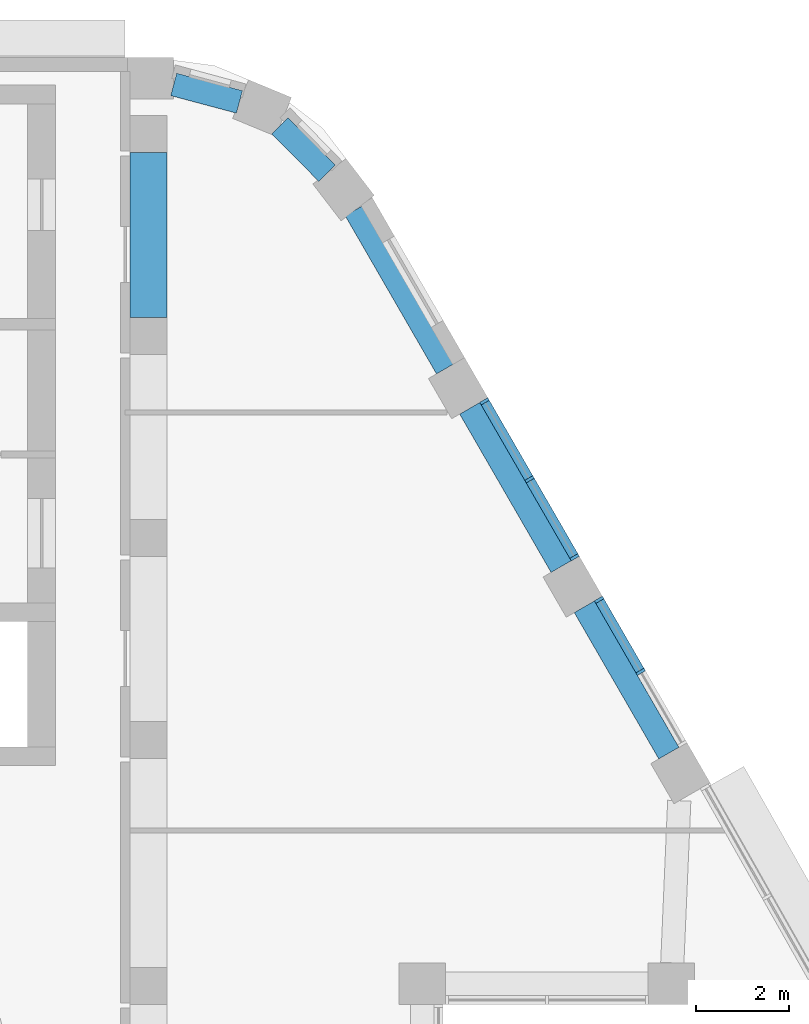
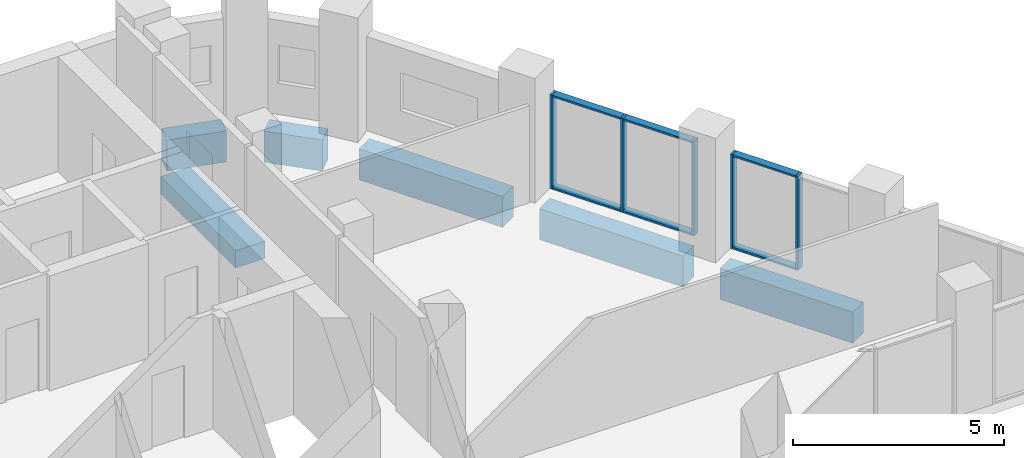
# One storey, part 7 of 16: 11 members, 6 beams, 2 elements without a shape of their own.
"""IFC4 building model written with IfcOpenShell, lengths in metres."""

from ifc_helpers import new_model, si_unit, direction, frame, origin, origin_2d, place, context, subcontext, project, spatial, rectangle, extrude, material, layer, layer_set, material_profile, profile_set, type_object, element, aggregate, save


model = new_model("IFC4")

# Units and contexts
model_context = context("Model", 3, precision=1e-05, world=origin(), true_north=direction((0.0, 1.0)))
body_context = subcontext(model_context, "Body", "Model", "MODEL_VIEW")
ifc_project = project(units=[si_unit("LENGTHUNIT", "METRE"), si_unit("AREAUNIT", "SQUARE_METRE"), si_unit("VOLUMEUNIT", "CUBIC_METRE"), si_unit("PLANEANGLEUNIT", "RADIAN"), si_unit("MASSUNIT", "GRAM", prefix="KILO")], contexts=[model_context])

# Site, building, storey
site_placement = place(None, origin())
site = spatial("IfcSite", under=ifc_project, at=site_placement, CompositionType="ELEMENT")
building_placement = place(site_placement, origin())
building = spatial("IfcBuilding", under=site, at=building_placement, Name="Nakaniwa Court", CompositionType="ELEMENT")
storey_placement = place(building_placement, frame((0.0, 0.0, 272.39990234375)))
storey = spatial("IfcBuildingStorey", under=building, at=storey_placement, Name="C01", CompositionType="ELEMENT", Elevation=272.39990234375)

# Beams
ifc_material_1 = material(Name="Concrete C80/100", Category="concrete")
ifc_material_profile_1 = material_profile(ifc_material_1, rectangle(XDim=0.5, YDim=0.89990234375, at=origin_2d()), Name="Concrete C80/100 RC 500x900 spandrel beam")
ifc_profile_set_1 = profile_set([ifc_material_profile_1], Name="Concrete C80/100")
beam_type_1 = type_object("IfcBeamType", Name="Concrete C80/100 RC 500x900 spandrel beam", PredefinedType="BEAM", material=ifc_profile_set_1)
beam_1_placement = place(storey_placement, frame((101.208984375, 87.665283203125, -0.724853515625), z_axis=(-0.500028315034, 0.866009055475, 0.0), x_axis=(-0.866009055475, -0.500028315034, 0.0)))
element("IfcBeam", 1, at=beam_1_placement, inside=storey, type_object=beam_type_1, Name="SPANDREL BEAM", PredefinedType="BEAM", context=body_context, shape_type="SweptSolid", body=[
    extrude(rectangle(XDim=0.5, YDim=0.89990234375, at=origin_2d()), origin(), (0.0, 0.0, 1.0), 3.638916015625),
])
beam_2_placement = place(storey_placement, frame((98.889404296875, 91.6826171875, -0.724853515625), z_axis=(-0.500021313302, 0.866013098194, 0.0), x_axis=(-0.866013098194, -0.500021313302, 0.0)))
element("IfcBeam", 2, at=beam_2_placement, inside=storey, type_object=beam_type_1, Name="SPANDREL BEAM", PredefinedType="BEAM", context=body_context, shape_type="SweptSolid", body=[
    extrude(rectangle(XDim=0.5, YDim=0.89990234375, at=origin_2d()), origin(), (0.0, 0.0, 1.0), 3.936279296875),
])
beam_3_placement = place(storey_placement, frame((96.421142578125, 95.95751953125, -0.724853515625), z_axis=(-0.499958946799, 0.866049104564, 0.0), x_axis=(-0.866049104564, -0.499958946799, 0.0)))
element("IfcBeam", 3, at=beam_3_placement, inside=storey, type_object=beam_type_1, Name="SPANDREL BEAM", PredefinedType="BEAM", context=body_context, shape_type="SweptSolid", body=[
    extrude(rectangle(XDim=0.5, YDim=0.89990234375, at=origin_2d()), origin(), (0.0, 0.0, 1.0), 3.931884765625),
])
beam_4_placement = place(storey_placement, frame((93.84716796875, 100.156494140625, -0.724853515625), z_axis=(-0.706004380105, 0.708207466265, 0.0), x_axis=(-0.708207466265, -0.706004380105, 0.0)))
element("IfcBeam", 4, at=beam_4_placement, inside=storey, type_object=beam_type_1, Name="SPANDREL BEAM", PredefinedType="BEAM", context=body_context, shape_type="SweptSolid", body=[
    extrude(rectangle(XDim=0.5, YDim=0.89990234375, at=origin_2d()), origin(), (0.0, 0.0, 1.0), 1.440673828125),
])
beam_5_placement = place(storey_placement, frame((91.96044921875, 101.68994140625, -0.724853515625), z_axis=(-0.966301318257, 0.257413601689, 0.0), x_axis=(-0.257413601689, -0.966301318257, 0.0)))
element("IfcBeam", 5, at=beam_5_placement, inside=storey, type_object=beam_type_1, Name="SPANDREL BEAM", PredefinedType="BEAM", context=body_context, shape_type="SweptSolid", body=[
    extrude(rectangle(XDim=0.5, YDim=0.89990234375, at=origin_2d()), origin(), (0.0, 0.0, 1.0), 1.46435546875),
])
ifc_material_profile_2 = material_profile(ifc_material_1, rectangle(XDim=0.800048828125, YDim=0.5, at=origin_2d()), Name="Concrete C80/100 RC 800x500 ring beam")
ifc_profile_set_2 = profile_set([ifc_material_profile_2], Name="Concrete C80/100")
beam_type_2 = type_object("IfcBeamType", Name="Concrete C80/100 RC 800x500 ring beam", PredefinedType="BEAM", material=ifc_profile_set_2)
beam_6_placement = place(storey_placement, frame((90.0, 97.050048828125, -0.52490234375), z_axis=(0.0, 1.0, 0.0), x_axis=(-1.0, 0.0, 0.0)))
element("IfcBeam", 6, at=beam_6_placement, inside=storey, type_object=beam_type_2, Name="RING BEAM", PredefinedType="BEAM", context=body_context, shape_type="SweptSolid", body=[
    extrude(rectangle(XDim=0.800048828125, YDim=0.5, at=origin_2d()), origin(), (0.0, 0.0, 1.0), 3.550048828125),
])

# Curtain wall, members
ifc_material_2 = material(Name="Black anodised aluminium frame with dark low-E laminated double glazing", Category="aluminium")
ifc_layer = layer(ifc_material_2, 0.199951171875)
ifc_layer_set = layer_set([ifc_layer], Name="Black anodised aluminium frame with dark low-E laminated double glazing")
curtain_wall_type = type_object("IfcCurtainWallType", Name="Crown curtain wall", PredefinedType="NOTDEFINED", material=ifc_layer_set)
curtain_wall_1_placement = place(storey_placement, origin())
curtain_wall_1 = element("IfcCurtainWall", 7, at=curtain_wall_1_placement, inside=storey, type_object=curtain_wall_type, Name="C01 curtain wall CW4 03", PredefinedType="NOTDEFINED")
ifc_material_3 = material(Name="Black anodised aluminium extrusion", Category="aluminium")
ifc_material_profile_3 = material_profile(ifc_material_3, rectangle(XDim=0.199951171875, YDim=0.06494140625, at=origin_2d()), Name="Crown curtain wall mullion 65x200")
ifc_profile_set_3 = profile_set([ifc_material_profile_3], Name="Black anodised aluminium extrusion")
member_type_1 = type_object("IfcMemberType", Name="Crown curtain wall mullion 65x200", PredefinedType="MULLION", material=ifc_profile_set_3)
member_1_placement = place(storey_placement, frame((100.602294921875, 89.416015625, 0.0), z_axis=(0.0, 0.0, 1.0), x_axis=(-0.866032625369, -0.49998749164, 0.0)))
member_1 = element("IfcMember", 8, at=member_1_placement, type_object=member_type_1, Name="CW4 mullion 2", PredefinedType="MULLION", context=body_context, shape_type="SweptSolid", body=[
    extrude(rectangle(XDim=0.199951171875, YDim=0.06494140625, at=origin_2d()), origin(), (0.0, 0.0, 1.0), 2.72509765625),
])
member_2_placement = place(storey_placement, frame((99.706787109375, 90.967041015625, 0.0), z_axis=(0.0, 0.0, 1.0), x_axis=(-0.866032625369, -0.49998749164, 0.0)))
member_2 = element("IfcMember", 9, at=member_2_placement, type_object=member_type_1, Name="CW4 mullion 3", PredefinedType="MULLION", context=body_context, shape_type="SweptSolid", body=[
    extrude(rectangle(XDim=0.199951171875, YDim=0.06494140625, at=origin_2d()), origin(), (0.0, 0.0, 1.0), 2.72509765625),
])

curtain_wall_2_placement = place(storey_placement, origin())
curtain_wall_2 = element("IfcCurtainWall", 10, at=curtain_wall_2_placement, inside=storey, type_object=curtain_wall_type, Name="C01 curtain wall CW4 04", PredefinedType="NOTDEFINED")
member_3_placement = place(storey_placement, frame((99.17822265625, 91.88232421875, 0.0), z_axis=(0.0, 0.0, 1.0), x_axis=(-0.866015857958, -0.500016533491, 0.0)))
member_3 = element("IfcMember", 11, at=member_3_placement, type_object=member_type_1, Name="CW4 mullion 1", PredefinedType="MULLION", context=body_context, shape_type="SweptSolid", body=[
    extrude(rectangle(XDim=0.199951171875, YDim=0.06494140625, at=origin_2d()), origin(), (0.0, 0.0, 1.0), 2.72509765625),
])
member_4_placement = place(storey_placement, frame((98.20849609375, 93.562255859375, 0.0), z_axis=(0.0, 0.0, 1.0), x_axis=(-0.866015857958, -0.500016533491, 0.0)))
member_4 = element("IfcMember", 12, at=member_4_placement, type_object=member_type_1, Name="CW4 mullion 2", PredefinedType="MULLION", context=body_context, shape_type="SweptSolid", body=[
    extrude(rectangle(XDim=0.199951171875, YDim=0.06494140625, at=origin_2d()), origin(), (0.0, 0.0, 1.0), 2.72509765625),
])
member_5_placement = place(storey_placement, frame((97.238525390625, 95.241943359375, 0.0), z_axis=(0.0, 0.0, 1.0), x_axis=(-0.866015857958, -0.500016533491, 0.0)))
member_5 = element("IfcMember", 13, at=member_5_placement, type_object=member_type_1, Name="CW4 mullion 3", PredefinedType="MULLION", context=body_context, shape_type="SweptSolid", body=[
    extrude(rectangle(XDim=0.199951171875, YDim=0.06494140625, at=origin_2d()), origin(), (0.0, 0.0, 1.0), 2.72509765625),
])

# Member
ifc_material_profile_4 = material_profile(ifc_material_3, rectangle(XDim=0.199951171875, YDim=0.054931640625, at=origin_2d()), Name="Crown curtain wall transom 55x200")
ifc_profile_set_4 = profile_set([ifc_material_profile_4], Name="Black anodised aluminium extrusion")
member_type_2 = type_object("IfcMemberType", Name="Crown curtain wall transom 55x200", PredefinedType="USERDEFINED", material=ifc_profile_set_4)
member_6_placement = place(storey_placement, frame((100.5859375, 89.444091796875, 0.027587890625), z_axis=(-0.499987726745, 0.866032489635, 0.0), x_axis=(-0.866032489635, -0.499987726745, 0.0)))
member_6 = element("IfcMember", 14, at=member_6_placement, type_object=member_type_2, Name="CW4 transom 2.1", ObjectType="TRANSOM", PredefinedType="USERDEFINED", context=body_context, shape_type="SweptSolid", body=[
    extrude(rectangle(XDim=0.199951171875, YDim=0.054931640625, at=origin_2d()), origin(), (0.0, 0.0, 1.0), 1.72607421875),
])

member_7_placement = place(storey_placement, frame((100.5859375, 89.444091796875, 2.697509765625), z_axis=(-0.499987726745, 0.866032489635, 0.0), x_axis=(-0.866032489635, -0.499987726745, 0.0)))
member_7 = element("IfcMember", 15, at=member_7_placement, type_object=member_type_2, Name="CW4 transom 2.2", ObjectType="TRANSOM", PredefinedType="USERDEFINED", context=body_context, shape_type="SweptSolid", body=[
    extrude(rectangle(XDim=0.199951171875, YDim=0.054931640625, at=origin_2d()), origin(), (0.0, 0.0, 1.0), 1.72607421875),
])

aggregate(curtain_wall_1, [member_1, member_2, member_6, member_7])

member_8_placement = place(storey_placement, frame((99.162109375, 91.91064453125, 0.027587890625), z_axis=(-0.50011702088, 0.865957831206, 0.0), x_axis=(-0.865957831206, -0.50011702088, 0.0)))
member_8 = element("IfcMember", 16, at=member_8_placement, type_object=member_type_2, Name="CW4 transom 1.1", ObjectType="TRANSOM", PredefinedType="USERDEFINED", context=body_context, shape_type="SweptSolid", body=[
    extrude(rectangle(XDim=0.199951171875, YDim=0.054931640625, at=origin_2d()), origin(), (0.0, 0.0, 1.0), 1.87451171875),
])

member_9_placement = place(storey_placement, frame((99.162109375, 91.91064453125, 2.697509765625), z_axis=(-0.50011702088, 0.865957831206, 0.0), x_axis=(-0.865957831206, -0.50011702088, 0.0)))
member_9 = element("IfcMember", 17, at=member_9_placement, type_object=member_type_2, Name="CW4 transom 1.2", ObjectType="TRANSOM", PredefinedType="USERDEFINED", context=body_context, shape_type="SweptSolid", body=[
    extrude(rectangle(XDim=0.199951171875, YDim=0.054931640625, at=origin_2d()), origin(), (0.0, 0.0, 1.0), 1.87451171875),
])

member_10_placement = place(storey_placement, frame((98.192138671875, 93.59033203125, 0.027587890625), z_axis=(-0.499962952589, 0.86604679206, 0.0), x_axis=(-0.86604679206, -0.499962952589, 0.0)))
member_10 = element("IfcMember", 18, at=member_10_placement, type_object=member_type_2, Name="CW4 transom 2.1", ObjectType="TRANSOM", PredefinedType="USERDEFINED", context=body_context, shape_type="SweptSolid", body=[
    extrude(rectangle(XDim=0.199951171875, YDim=0.054931640625, at=origin_2d()), origin(), (0.0, 0.0, 1.0), 1.874755859375),
])

member_11_placement = place(storey_placement, frame((98.192138671875, 93.59033203125, 2.697509765625), z_axis=(-0.499962952589, 0.86604679206, 0.0), x_axis=(-0.86604679206, -0.499962952589, 0.0)))
member_11 = element("IfcMember", 19, at=member_11_placement, type_object=member_type_2, Name="CW4 transom 2.2", ObjectType="TRANSOM", PredefinedType="USERDEFINED", context=body_context, shape_type="SweptSolid", body=[
    extrude(rectangle(XDim=0.199951171875, YDim=0.054931640625, at=origin_2d()), origin(), (0.0, 0.0, 1.0), 1.874755859375),
])

aggregate(curtain_wall_2, [member_3, member_4, member_5, member_8, member_9, member_10, member_11])

save(model, "model.ifc")
